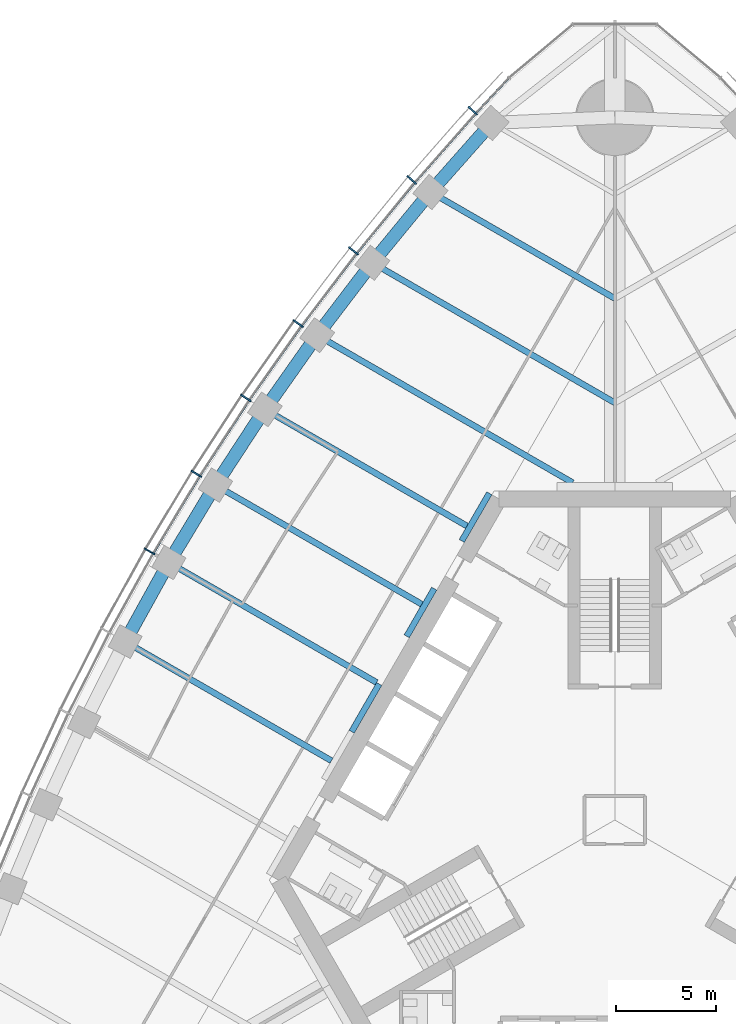
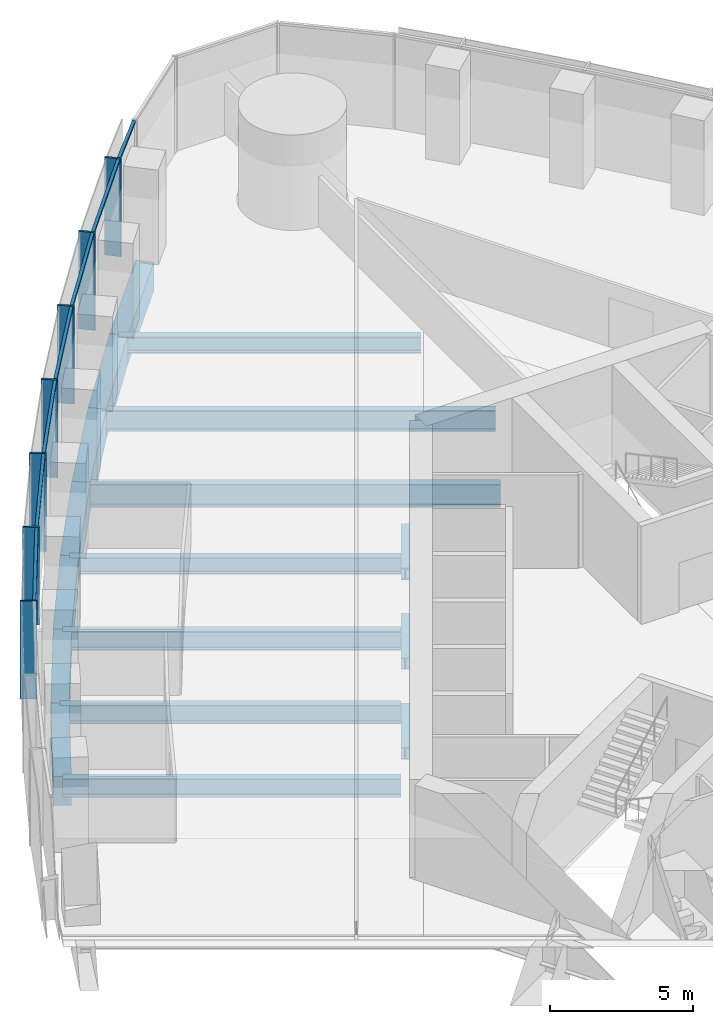
# One storey, part 4 of 21: 17 beams, 14 members, 1 element without a shape of its own.
"""IFC4 building model written with IfcOpenShell, lengths in metres."""

import ifcopenshell
import ifcopenshell.guid

model = None  # the IFC model being written
_history = None  # IfcOwnerHistory: only IFC2X3 demands one
_inside = {}  # id of a spatial element -> (the spatial element, [elements in it])
_under = {}  # id of a project, library or spatial element -> (it, [spatial elements below it])
_declared = {}  # id of a project -> (the project, [libraries it declares])
_typed = {}  # id of a type object -> (the type object, [elements of that type])
_made_of = {}  # id of a material, layer set ... -> (it, [elements and type objects made of it])


def new_model(schema):
    """Start an empty IFC model of exactly this schema.

    Asked for "IFC4X3", IfcOpenShell would pick the latest addendum, in which some entities
    have other attributes; the version numbers below select the first issue.
    IFC2X3 requires an IfcOwnerHistory on every rooted entity: one is made here for all.
    """
    global model, _history
    if schema == "IFC4X3":
        model = ifcopenshell.file(schema_version=(4, 3, 0, 0))
    else:
        model = ifcopenshell.file(schema=schema)
    _inside.clear()
    _under.clear()
    _declared.clear()
    _typed.clear()
    _made_of.clear()
    _history = None
    if model.schema == "IFC2X3":
        org = make("IfcOrganization", Name="unknown")
        user = make(
            "IfcPersonAndOrganization",
            ThePerson=make("IfcPerson", FamilyName="unknown"),
            TheOrganization=org,
        )
        app = make(
            "IfcApplication",
            ApplicationDeveloper=org,
            Version="unknown",
            ApplicationFullName="unknown",
            ApplicationIdentifier="unknown",
        )
        _history = make(
            "IfcOwnerHistory",
            OwningUser=user,
            OwningApplication=app,
            ChangeAction="ADDED",
            CreationDate=0,
        )
    return model


def make(cls, **values):
    """One entity of the class cls with the attributes given. An attribute that is None is left unset."""
    return model.create_entity(
        cls, **{name: value for name, value in values.items() if value is not None}
    )


def rooted(cls, **values):
    """An entity with a GlobalId (a new one), such as an element, a storey or a relation."""
    return make(cls, GlobalId=ifcopenshell.guid.new(), OwnerHistory=_history, **values)


def si_unit(unit_type, name, prefix=None):
    """IfcSIUnit, for example si_unit("LENGTHUNIT", "METRE", prefix="MILLI")."""
    return make("IfcSIUnit", UnitType=unit_type, Prefix=prefix, Name=name)


def assignment(units):
    """IfcUnitAssignment: the units of a project."""
    return None if units is None else make("IfcUnitAssignment", Units=units)


def point(xyz):
    """IfcCartesianPoint."""
    return None if xyz is None else make("IfcCartesianPoint", Coordinates=xyz)


def direction(xyz):
    """IfcDirection."""
    return None if xyz is None else make("IfcDirection", DirectionRatios=xyz)


def frame(location, z_axis=None, x_axis=None):
    """IfcAxis2Placement3D, a coordinate frame: its origin and axes. An axis left out is left unset."""
    return make(
        "IfcAxis2Placement3D",
        Location=point(location),
        Axis=direction(z_axis),
        RefDirection=direction(x_axis),
    )


def frame_2d(location, x_axis=None):
    """IfcAxis2Placement2D, a coordinate frame in the plane: its origin and x axis."""
    return make(
        "IfcAxis2Placement2D", Location=point(location), RefDirection=direction(x_axis)
    )


def origin():
    """The frame at (0, 0, 0) with its axes left unset."""
    return frame((0.0, 0.0, 0.0))


def origin_2d():
    """The frame at (0, 0) in the plane with its x axis left unset."""
    return frame_2d((0.0, 0.0))


def place(relative_to, where):
    """IfcLocalPlacement: puts the frame where relative to a parent placement (None: the world)."""
    return make(
        "IfcLocalPlacement", PlacementRelTo=relative_to, RelativePlacement=where
    )


def context(
    kind, dimensions, precision=None, world=None, true_north=None, identifier=None
):
    """IfcGeometricRepresentationContext, for example the 3D "Model" context."""
    return make(
        "IfcGeometricRepresentationContext",
        ContextIdentifier=identifier,
        ContextType=kind,
        CoordinateSpaceDimension=dimensions,
        Precision=precision,
        WorldCoordinateSystem=world,
        TrueNorth=true_north,
    )


def subcontext(parent, identifier, kind, view, scale=None):
    """IfcGeometricRepresentationSubContext, for example "Body" below "Model"."""
    return make(
        "IfcGeometricRepresentationSubContext",
        ContextIdentifier=identifier,
        ContextType=kind,
        ParentContext=parent,
        TargetScale=scale,
        TargetView=view,
    )


def project(units=None, contexts=None):
    """IfcProject with its units and contexts."""
    return rooted(
        "IfcProject",
        Name="project",
        RepresentationContexts=contexts,
        UnitsInContext=assignment(units),
    )


def spatial(cls, under=None, at=None, **own):
    """A site, building, storey or space (cls), placed at a placement, below another one or the project."""
    s = rooted(cls, ObjectPlacement=at, **own)
    if under is not None:
        _under.setdefault(under.id(), (under, []))[1].append(s)
    return s


def profile(cls, at=None, kind="AREA", **sizes):
    """A parametric profile (cls). Its sizes go by their IFC names, for example OverallWidth=200.0."""
    return make(cls, ProfileType=kind, Position=at, **sizes)


def rectangle(**sizes):
    """IfcRectangleProfileDef."""
    return profile("IfcRectangleProfileDef", **sizes)


def i_section(**sizes):
    """IfcIShapeProfileDef."""
    return profile("IfcIShapeProfileDef", **sizes)


def extrude(swept, where, along, depth):
    """IfcExtrudedAreaSolid: the profile swept, set in the frame where, extruded along a direction by depth."""
    return make(
        "IfcExtrudedAreaSolid",
        SweptArea=swept,
        Position=where,
        ExtrudedDirection=direction(along),
        Depth=depth,
    )


def shape(context_of_items, identifier, shape_type, items):
    """IfcShapeRepresentation: the items that make up one representation, for example the "Body"."""
    return make(
        "IfcShapeRepresentation",
        ContextOfItems=context_of_items,
        RepresentationIdentifier=identifier,
        RepresentationType=shape_type,
        Items=items,
    )


def material(Name=None, Category=None):
    """IfcMaterial."""
    return make("IfcMaterial", Name=Name, Category=Category)


def material_profile(
    of_material, cross_section, Name=None, Category=None, Priority=None
):
    """IfcMaterialProfile: a cross section and its material."""
    return make(
        "IfcMaterialProfile",
        Name=Name,
        Material=of_material,
        Profile=cross_section,
        Priority=Priority,
        Category=Category,
    )


def profile_set(profiles, Name=None, composite=None):
    """IfcMaterialProfileSet."""
    return make(
        "IfcMaterialProfileSet",
        Name=Name,
        MaterialProfiles=profiles,
        CompositeProfile=composite,
    )


def made_of(thing, what):
    """Note that an element or type object is made of a material, layer set ...; save() writes the relation."""
    if what is not None:
        _made_of.setdefault(what.id(), (what, []))[1].append(thing)
    return thing


def type_object(cls, material=None, **own):
    """A type object (cls), such as IfcWallType, which elements share."""
    return made_of(rooted(cls, **own), material)


def element(
    cls,
    number,
    at=None,
    inside=None,
    cuts=None,
    type_object=None,
    material=None,
    context=None,
    identifier="Body",
    shape_type=None,
    held_by="IfcProductDefinitionShape",
    body=None,
    shapes=None,
    **own,
):
    """One element of the class cls, such as IfcWall. Its Tag is "e" and its number.

    at: its placement. inside: the storey or other place that contains it. cuts: it is an
    opening in that element (IfcRelVoidsElement). A single representation is given by context,
    identifier, shape_type and body (its items); several are given by shapes. held_by: the class
    of the entity that holds the representations. save() writes the other relations.
    """
    e = rooted(cls, Tag="e%d" % number, ObjectPlacement=at, **own)
    if body is not None:
        shapes = [shape(context, identifier, shape_type, body)]
    if shapes is not None:
        e.Representation = make(held_by, Representations=shapes)
    if inside is not None:
        _inside.setdefault(inside.id(), (inside, []))[1].append(e)
    if cuts is not None:
        rooted(
            "IfcRelVoidsElement", RelatingBuildingElement=cuts, RelatedOpeningElement=e
        )
    if type_object is not None:
        _typed.setdefault(type_object.id(), (type_object, []))[1].append(e)
    return made_of(e, material)


def aggregate(whole, parts):
    """IfcRelAggregates: a whole, such as a stair, and the parts it consists of."""
    return rooted("IfcRelAggregates", RelatingObject=whole, RelatedObjects=parts)


def save(model, path):
    """Write the relations noted so far, then the file.

    IfcRelAggregates (storeys below a building ...), IfcRelContainedInSpatialStructure (elements
    in a storey), IfcRelDefinesByType, IfcRelAssociatesMaterial and IfcRelDeclares: one each for
    every whole, place, type object, material and project.
    """
    for whole, parts in _under.values():
        aggregate(whole, parts)
    for where, things in _inside.values():
        rooted(
            "IfcRelContainedInSpatialStructure",
            RelatedElements=things,
            RelatingStructure=where,
        )
    for kind, things in _typed.values():
        rooted("IfcRelDefinesByType", RelatedObjects=things, RelatingType=kind)
    for what, things in _made_of.values():
        rooted("IfcRelAssociatesMaterial", RelatedObjects=things, RelatingMaterial=what)
    for by, libraries in _declared.values():
        rooted("IfcRelDeclares", RelatingContext=by, RelatedDefinitions=libraries)
    model.write(path)


model = new_model("IFC4")

# Units and contexts
model_context = context("Model", 3, precision=1e-05, world=origin(), true_north=direction((0.0, 1.0)))
body_context = subcontext(model_context, "Body", "Model", "MODEL_VIEW")
ifc_project = project(units=[si_unit("LENGTHUNIT", "METRE"), si_unit("AREAUNIT", "SQUARE_METRE"), si_unit("VOLUMEUNIT", "CUBIC_METRE"), si_unit("PLANEANGLEUNIT", "RADIAN"), si_unit("MASSUNIT", "GRAM", prefix="KILO")], contexts=[model_context])

# Site, building, storey
site_placement = place(None, origin())
site = spatial("IfcSite", under=ifc_project, at=site_placement, CompositionType="ELEMENT")
building_placement = place(site_placement, origin())
building = spatial("IfcBuilding", under=site, at=building_placement, Name="Trefoil Bronze Tower", CompositionType="ELEMENT")
storey_placement = place(building_placement, frame((0.0, 0.0, 145.10009765625)))
storey = spatial("IfcBuildingStorey", under=building, at=storey_placement, Name="L33", CompositionType="ELEMENT", Elevation=145.10009765625)

# Curtain wall, members
ifc_material_1 = material(Name="Tinted solar-control glass", Category="glass")
curtain_wall_type = type_object("IfcCurtainWallType", Name="Bronze office curtain wall", PredefinedType="USERDEFINED", material=ifc_material_1)
curtain_wall_placement = place(storey_placement, origin())
curtain_wall = element("IfcCurtainWall", 1, at=curtain_wall_placement, inside=storey, type_object=curtain_wall_type, Name="CW-A L33 F3", ObjectType="CURTAIN WALL", PredefinedType="USERDEFINED")
ifc_material_2 = material(Name="Bronze-finish aluminium", Category="aluminium")
ifc_material_profile_1 = material_profile(ifc_material_2, rectangle(XDim=0.60009765625, YDim=0.080078125, at=origin_2d()), Name="CW-A mullion")
ifc_profile_set_1 = profile_set([ifc_material_profile_1], Name="Bronze-finish aluminium")
member_type_1 = type_object("IfcMemberType", Name="Bronze office curtain wall mullion", PredefinedType="MULLION", material=ifc_profile_set_1)
member_1_placement = place(storey_placement, frame((-7.070068359375, 35.332275390625, 0.0), z_axis=(0.0, 0.0, 1.0), x_axis=(0.740360700327, -0.672209813534, 0.0)))
member_1 = element("IfcMember", 2, at=member_1_placement, type_object=member_type_1, Name="CW-A L33 F3 mullion 2", PredefinedType="MULLION", context=body_context, shape_type="SweptSolid", body=[
    extrude(rectangle(XDim=0.60009765625, YDim=0.080078125, at=origin_2d()), origin(), (0.0, 0.0, 1.0), 4.179931640625),
])
member_2_placement = place(storey_placement, frame((-10.11474609375, 31.8828125, 0.0), z_axis=(0.0, 0.0, 1.0), x_axis=(0.761721651066, -0.647904411389, 0.0)))
member_2 = element("IfcMember", 3, at=member_2_placement, type_object=member_type_1, Name="CW-A L33 F3 mullion 3", PredefinedType="MULLION", context=body_context, shape_type="SweptSolid", body=[
    extrude(rectangle(XDim=0.60009765625, YDim=0.080078125, at=origin_2d()), origin(), (0.0, 0.0, 1.0), 4.179931640625),
])
member_3_placement = place(storey_placement, frame((-13.01220703125, 28.34716796875, 0.0), z_axis=(0.0, 0.0, 1.0), x_axis=(0.78487913905, -0.619648882098, 0.0)))
member_3 = element("IfcMember", 4, at=member_3_placement, type_object=member_type_1, Name="CW-A L33 F3 mullion 4", PredefinedType="MULLION", context=body_context, shape_type="SweptSolid", body=[
    extrude(rectangle(XDim=0.60009765625, YDim=0.080078125, at=origin_2d()), origin(), (0.0, 0.0, 1.0), 4.179931640625),
])
member_4_placement = place(storey_placement, frame((-15.764404296875, 24.7275390625, 0.0), z_axis=(0.0, 0.0, 1.0), x_axis=(0.806874522901, -0.590722865897, 0.0)))
member_4 = element("IfcMember", 5, at=member_4_placement, type_object=member_type_1, Name="CW-A L33 F3 mullion 5", PredefinedType="MULLION", context=body_context, shape_type="SweptSolid", body=[
    extrude(rectangle(XDim=0.60009765625, YDim=0.080078125, at=origin_2d()), origin(), (0.0, 0.0, 1.0), 4.179931640625),
])
member_5_placement = place(storey_placement, frame((-18.373046875, 21.025146484375, 0.0), z_axis=(0.0, 0.0, 1.0), x_axis=(0.827723925749, -0.561135547566, 0.0)))
member_5 = element("IfcMember", 6, at=member_5_placement, type_object=member_type_1, Name="CW-A L33 F3 mullion 6", PredefinedType="MULLION", context=body_context, shape_type="SweptSolid", body=[
    extrude(rectangle(XDim=0.60009765625, YDim=0.080078125, at=origin_2d()), origin(), (0.0, 0.0, 1.0), 4.179931640625),
])
member_6_placement = place(storey_placement, frame((-20.840087890625, 17.24072265625, 0.0), z_axis=(0.0, 0.0, 1.0), x_axis=(0.84743864936, -0.530893337283, 0.0)))
member_6 = element("IfcMember", 7, at=member_6_placement, type_object=member_type_1, Name="CW-A L33 F3 mullion 7", PredefinedType="MULLION", context=body_context, shape_type="SweptSolid", body=[
    extrude(rectangle(XDim=0.60009765625, YDim=0.080078125, at=origin_2d()), origin(), (0.0, 0.0, 1.0), 4.179931640625),
])
member_7_placement = place(storey_placement, frame((-23.166015625, 13.374755859375, 0.0), z_axis=(0.0, 0.0, 1.0), x_axis=(0.866025403784, -0.5, 0.0)))
member_7 = element("IfcMember", 8, at=member_7_placement, type_object=member_type_1, Name="CW-A L33 F3 mullion 8", PredefinedType="MULLION", context=body_context, shape_type="SweptSolid", body=[
    extrude(rectangle(XDim=0.60009765625, YDim=0.080078125, at=origin_2d()), origin(), (0.0, 0.0, 1.0), 4.179931640625),
])
ifc_material_3 = material(Name="Bronze-finish aluminium", Category="aluminium")
ifc_material_profile_2 = material_profile(ifc_material_3, rectangle(XDim=0.1201171875, YDim=0.10009765625, at=origin_2d()), Name="CW-A transom")
ifc_profile_set_2 = profile_set([ifc_material_profile_2], Name="Bronze-finish aluminium")
member_type_2 = type_object("IfcMemberType", Name="Bronze office curtain wall transom", PredefinedType="USERDEFINED", material=ifc_profile_set_2)
member_8_placement = place(storey_placement, frame((-5.296630859375, 36.9384765625, 4.1298828125), z_axis=(-0.682489214428, -0.730895664366, 0.0), x_axis=(0.730895664366, -0.682489214428, 0.0)))
member_8 = element("IfcMember", 9, at=member_8_placement, type_object=member_type_2, Name="CW-A L33 F3 transom 1", ObjectType="TRANSOM", PredefinedType="USERDEFINED", context=body_context, shape_type="SweptSolid", body=[
    extrude(rectangle(XDim=0.1201171875, YDim=0.10009765625, at=origin_2d()), origin(), (0.0, 0.0, 1.0), 2.340087890625),
])
member_9_placement = place(storey_placement, frame((-6.949462890625, 35.166748046875, 4.1298828125), z_axis=(-0.66173618877, -0.749736764786, 0.0), x_axis=(0.749736764786, -0.66173618877, 0.0)))
member_9 = element("IfcMember", 10, at=member_9_placement, type_object=member_type_2, Name="CW-A L33 F3 transom 2", ObjectType="TRANSOM", PredefinedType="USERDEFINED", context=body_context, shape_type="SweptSolid", body=[
    extrude(rectangle(XDim=0.1201171875, YDim=0.10009765625, at=origin_2d()), origin(), (0.0, 0.0, 1.0), 4.510986328125),
])
member_10_placement = place(storey_placement, frame((-9.98876953125, 31.720947265625, 4.1298828125), z_axis=(-0.633848872297, -0.773456919995, 0.0), x_axis=(0.773456919995, -0.633848872297, 0.0)))
member_10 = element("IfcMember", 11, at=member_10_placement, type_object=member_type_2, Name="CW-A L33 F3 transom 3", ObjectType="TRANSOM", PredefinedType="USERDEFINED", context=body_context, shape_type="SweptSolid", body=[
    extrude(rectangle(XDim=0.1201171875, YDim=0.10009765625, at=origin_2d()), origin(), (0.0, 0.0, 1.0), 4.480224609375),
])
member_11_placement = place(storey_placement, frame((-12.880615234375, 28.18994140625, 4.1298828125), z_axis=(-0.605229114572, -0.796051329296, 0.0), x_axis=(0.796051329296, -0.605229114572, 0.0)))
member_11 = element("IfcMember", 12, at=member_11_placement, type_object=member_type_2, Name="CW-A L33 F3 transom 4", ObjectType="TRANSOM", PredefinedType="USERDEFINED", context=body_context, shape_type="SweptSolid", body=[
    extrude(rectangle(XDim=0.1201171875, YDim=0.10009765625, at=origin_2d()), origin(), (0.0, 0.0, 1.0), 4.456298828125),
])
member_12_placement = place(storey_placement, frame((-15.626953125, 24.5751953125, 4.1298828125), z_axis=(-0.576017858824, -0.817437108478, 0.0), x_axis=(0.817437108478, -0.576017858824, 0.0)))
member_12 = element("IfcMember", 13, at=member_12_placement, type_object=member_type_2, Name="CW-A L33 F3 transom 5", ObjectType="TRANSOM", PredefinedType="USERDEFINED", context=body_context, shape_type="SweptSolid", body=[
    extrude(rectangle(XDim=0.1201171875, YDim=0.10009765625, at=origin_2d()), origin(), (0.0, 0.0, 1.0), 4.4384765625),
])
member_13_placement = place(storey_placement, frame((-18.23046875, 20.877685546875, 4.1298828125), z_axis=(-0.546079336226, -0.837733465099, 0.0), x_axis=(0.837733465099, -0.546079336226, 0.0)))
member_13 = element("IfcMember", 14, at=member_13_placement, type_object=member_type_2, Name="CW-A L33 F3 transom 6", ObjectType="TRANSOM", PredefinedType="USERDEFINED", context=body_context, shape_type="SweptSolid", body=[
    extrude(rectangle(XDim=0.1201171875, YDim=0.10009765625, at=origin_2d()), origin(), (0.0, 0.0, 1.0), 4.426513671875),
])
member_14_placement = place(storey_placement, frame((-20.692138671875, 17.0986328125, 4.1298828125), z_axis=(-0.515526794174, -0.856873458854, 0.0), x_axis=(0.856873458854, -0.515526794174, 0.0)))
member_14 = element("IfcMember", 15, at=member_14_placement, type_object=member_type_2, Name="CW-A L33 F3 transom 7", ObjectType="TRANSOM", PredefinedType="USERDEFINED", context=body_context, shape_type="SweptSolid", body=[
    extrude(rectangle(XDim=0.1201171875, YDim=0.10009765625, at=origin_2d()), origin(), (0.0, 0.0, 1.0), 4.4208984375),
])
aggregate(curtain_wall, [member_1, member_2, member_3, member_4, member_5, member_6, member_7, member_8, member_9, member_10, member_11, member_12, member_13, member_14])

# Beams
ifc_material_4 = material(Name="Steel C355", Category="steel")
ifc_material_profile_3 = material_profile(ifc_material_4, i_section(OverallWidth=0.300048828125, OverallDepth=0.5, WebThickness=0.014404296875, FlangeThickness=0.028076171875, FilletRadius=0.027099609375, at=origin_2d()), Name="HEB 500")
ifc_profile_set_3 = profile_set([ifc_material_profile_3], Name="Steel C355")
beam_type_1 = type_object("IfcBeamType", Name="Core seat beam HEB 500", PredefinedType="BEAM", material=ifc_profile_set_3)
for number, where, z_axis, x_axis, name in (
    (16, (-6.249755859375, 16.27490234375, -0.4501953125), (-0.500035825175, -0.866004719122, 0.0), (0.866004719122, -0.500035825175, 0.0), "Core seat beam F3/-2 L33"),
    (17, (-8.9921875, 11.52490234375, -0.4501953125), (-0.500035825175, -0.866004719122, 0.0), (0.866004719122, -0.500035825175, 0.0), "Core seat beam F3/-1 L33"),
    (18, (-11.734619140625, 6.77490234375, -0.4501953125), (-0.500035825175, -0.866004719122, 0.0), (0.866004719122, -0.500035825175, 0.0), "Core seat beam F3/+0 L33"),
):
    element("IfcBeam", number, at=place(storey_placement, frame(where, z_axis=z_axis, x_axis=x_axis)), inside=storey, type_object=beam_type_1, Name=name, PredefinedType="BEAM", context=body_context, shape_type="SweptSolid", body=[
        extrude(i_section(OverallWidth=0.300048828125, OverallDepth=0.5, WebThickness=0.014404296875, FlangeThickness=0.028076171875, FilletRadius=0.027099609375, at=origin_2d()), origin(), (0.0, 0.0, 1.0), 2.742431640625),
    ])
ifc_material_5 = material(Name="Steel C355", Category="steel")
ifc_material_profile_4 = material_profile(ifc_material_5, i_section(OverallWidth=0.300048828125, OverallDepth=1.0, WebThickness=0.01904296875, FlangeThickness=0.035888671875, FilletRadius=0.030029296875, at=origin_2d()), Name="HEB 1000")
ifc_profile_set_4 = profile_set([ifc_material_profile_4], Name="Steel C355")
beam_type_2 = type_object("IfcBeamType", Name="Floor beam HEB 1000", PredefinedType="BEAM", material=ifc_profile_set_4)
beam_1_placement = place(storey_placement, frame((-14.825439453125, 24.14794921875, -0.7001953125), z_axis=(0.866027342682, -0.499996641717, 0.0), x_axis=(0.499996641717, 0.866027342682, 0.0)))
element("IfcBeam", 19, at=beam_1_placement, inside=storey, type_object=beam_type_2, Name="Floor beam F3/-3 L33", PredefinedType="BEAM", context=body_context, shape_type="SweptSolid", body=[
    extrude(i_section(OverallWidth=0.300048828125, OverallDepth=1.0, WebThickness=0.01904296875, FlangeThickness=0.035888671875, FilletRadius=0.030029296875, at=origin_2d()), origin(), (0.0, 0.0, 1.0), 14.69580078125),
])
ifc_material_6 = material(Name="Steel C355", Category="steel")
ifc_material_profile_5 = material_profile(ifc_material_6, i_section(OverallWidth=0.300048828125, OverallDepth=0.699951171875, WebThickness=0.01708984375, FlangeThickness=0.031982421875, FilletRadius=0.027099609375, at=origin_2d()), Name="HEB 700")
ifc_profile_set_5 = profile_set([ifc_material_profile_5], Name="Steel C355")
beam_type_3 = type_object("IfcBeamType", Name="Floor beam HEB 700", PredefinedType="BEAM", material=ifc_profile_set_5)
beam_2_placement = place(storey_placement, frame((-9.181884765625, 31.281982421875, -0.550048828125), z_axis=(0.866021079084, -0.500007490527, 0.0), x_axis=(0.500007490527, 0.866021079084, 0.0)))
element("IfcBeam", 20, at=beam_2_placement, inside=storey, type_object=beam_type_3, Name="Floor beam F3/-5 L33", PredefinedType="BEAM", context=body_context, shape_type="SweptSolid", body=[
    extrude(i_section(OverallWidth=0.300048828125, OverallDepth=0.699951171875, WebThickness=0.01708984375, FlangeThickness=0.031982421875, FilletRadius=0.027099609375, at=origin_2d()), origin(), (0.0, 0.0, 1.0), 10.602294921875),
])
beam_3_placement = place(storey_placement, frame((-17.43017578125, 20.45556640625, -0.550048828125), z_axis=(0.866030626868, -0.499990953245, 0.0), x_axis=(0.499990953245, 0.866030626868, 0.0)))
element("IfcBeam", 21, at=beam_3_placement, inside=storey, type_object=beam_type_3, Name="Floor beam F3/-2 L33", PredefinedType="BEAM", context=body_context, shape_type="SweptSolid", body=[
    extrude(i_section(OverallWidth=0.300048828125, OverallDepth=0.699951171875, WebThickness=0.01708984375, FlangeThickness=0.031982421875, FilletRadius=0.027099609375, at=origin_2d()), origin(), (0.0, 0.0, 1.0), 11.622802734375),
])
ifc_material_7 = material(Name="Steel C355", Category="steel")
ifc_material_profile_6 = material_profile(ifc_material_7, i_section(OverallWidth=0.300048828125, OverallDepth=0.800048828125, WebThickness=0.017578125, FlangeThickness=0.032958984375, FilletRadius=0.030029296875, at=origin_2d()), Name="HEB 800")
ifc_profile_set_6 = profile_set([ifc_material_profile_6], Name="Steel C355")
beam_type_4 = type_object("IfcBeamType", Name="Floor beam HEB 800", PredefinedType="BEAM", material=ifc_profile_set_6)
beam_4_placement = place(storey_placement, frame((-19.892578125, 16.68115234375, -0.60009765625), z_axis=(0.866024236736, -0.500002021381, 0.0), x_axis=(0.500002021381, 0.866024236736, 0.0)))
element("IfcBeam", 22, at=beam_4_placement, inside=storey, type_object=beam_type_4, Name="Floor beam F3/-1 L33", PredefinedType="BEAM", context=body_context, shape_type="SweptSolid", body=[
    extrude(i_section(OverallWidth=0.300048828125, OverallDepth=0.800048828125, WebThickness=0.017578125, FlangeThickness=0.032958984375, FilletRadius=0.030029296875, at=origin_2d()), origin(), (0.0, 0.0, 1.0), 11.8681640625),
])
beam_5_placement = place(storey_placement, frame((-22.21337890625, 12.824951171875, -0.60009765625), z_axis=(0.866028062731, -0.499995394541, 0.0), x_axis=(0.499995394541, 0.866028062731, 0.0)))
element("IfcBeam", 23, at=beam_5_placement, inside=storey, type_object=beam_type_4, Name="Floor beam F3/+0 L33", PredefinedType="BEAM", context=body_context, shape_type="SweptSolid", body=[
    extrude(i_section(OverallWidth=0.300048828125, OverallDepth=0.800048828125, WebThickness=0.017578125, FlangeThickness=0.032958984375, FilletRadius=0.030029296875, at=origin_2d()), origin(), (0.0, 0.0, 1.0), 11.94970703125),
])
beam_6_placement = place(storey_placement, frame((-24.392578125, 8.886962890625, -0.60009765625), z_axis=(0.866024236736, -0.500002021381, 0.0), x_axis=(0.500002021381, 0.866024236736, 0.0)))
element("IfcBeam", 24, at=beam_6_placement, inside=storey, type_object=beam_type_4, Name="Floor beam F3/+1 L33", PredefinedType="BEAM", context=body_context, shape_type="SweptSolid", body=[
    extrude(i_section(OverallWidth=0.300048828125, OverallDepth=0.800048828125, WebThickness=0.017578125, FlangeThickness=0.032958984375, FilletRadius=0.030029296875, at=origin_2d()), origin(), (0.0, 0.0, 1.0), 11.8681640625),
])
ifc_material_8 = material(Name="Steel C355", Category="steel")
ifc_material_profile_7 = material_profile(ifc_material_8, i_section(OverallWidth=0.300048828125, OverallDepth=0.89990234375, WebThickness=0.0185546875, FlangeThickness=0.034912109375, FilletRadius=0.030029296875, at=origin_2d()), Name="HEB 900")
ifc_profile_set_7 = profile_set([ifc_material_profile_7], Name="Steel C355")
beam_type_5 = type_object("IfcBeamType", Name="Floor beam HEB 900", PredefinedType="BEAM", material=ifc_profile_set_7)
beam_7_placement = place(storey_placement, frame((-12.07666015625, 27.757080078125, -0.650146484375), z_axis=(0.866026983775, -0.499997263366, 0.0), x_axis=(0.499997263366, 0.866026983775, 0.0)))
element("IfcBeam", 25, at=beam_7_placement, inside=storey, type_object=beam_type_5, Name="Floor beam F3/-4 L33", PredefinedType="BEAM", context=body_context, shape_type="SweptSolid", body=[
    extrude(i_section(OverallWidth=0.300048828125, OverallDepth=0.89990234375, WebThickness=0.0185546875, FlangeThickness=0.034912109375, FilletRadius=0.030029296875, at=origin_2d()), origin(), (0.0, 0.0, 1.0), 13.94482421875),
])
ifc_material_9 = material(Name="Concrete B80", Category="concrete")
ifc_material_profile_8 = material_profile(ifc_material_9, rectangle(XDim=0.64990234375, YDim=1.25, at=origin_2d()), Name="RC 650x1250")
ifc_profile_set_8 = profile_set([ifc_material_profile_8], Name="Concrete B80")
beam_type_6 = type_object("IfcBeamType", Name="Spandrel beam RC 650x1250", PredefinedType="SPANDREL", material=ifc_profile_set_8)
beam_8_placement = place(storey_placement, frame((-6.13916015625, 34.72119140625, -0.8251953125), z_axis=(-0.662616326239, -0.748959013699, 0.0), x_axis=(0.748959013699, -0.662616326239, 0.0)))
element("IfcBeam", 26, at=beam_8_placement, inside=storey, type_object=beam_type_6, Name="Spandrel F3.2 L33", PredefinedType="SPANDREL", context=body_context, shape_type="SweptSolid", body=[
    extrude(rectangle(XDim=0.64990234375, YDim=1.25, at=origin_2d()), origin(), (0.0, 0.0, 1.0), 4.592041015625),
])
beam_9_placement = place(storey_placement, frame((-9.181884765625, 31.281982421875, -0.8251953125), z_axis=(-0.634650386838, -0.772799383079, 0.0), x_axis=(0.772799383079, -0.634650386838, 0.0)))
element("IfcBeam", 27, at=beam_9_placement, inside=storey, type_object=beam_type_6, Name="Spandrel F3.3 L33", PredefinedType="SPANDREL", context=body_context, shape_type="SweptSolid", body=[
    extrude(rectangle(XDim=0.64990234375, YDim=1.25, at=origin_2d()), origin(), (0.0, 0.0, 1.0), 4.561279296875),
])
beam_10_placement = place(storey_placement, frame((-12.07666015625, 27.757080078125, -0.8251953125), z_axis=(-0.605898901788, -0.795541652468, 0.0), x_axis=(0.795541652468, -0.605898901788, 0.0)))
element("IfcBeam", 28, at=beam_10_placement, inside=storey, type_object=beam_type_6, Name="Spandrel F3.4 L33", PredefinedType="SPANDREL", context=body_context, shape_type="SweptSolid", body=[
    extrude(rectangle(XDim=0.64990234375, YDim=1.25, at=origin_2d()), origin(), (0.0, 0.0, 1.0), 4.53662109375),
])
beam_11_placement = place(storey_placement, frame((-14.825439453125, 24.14794921875, -0.8251953125), z_axis=(-0.576439228712, -0.81714002203, 0.0), x_axis=(0.81714002203, -0.576439228712, 0.0)))
element("IfcBeam", 29, at=beam_11_placement, inside=storey, type_object=beam_type_6, Name="Spandrel F3.5 L33", PredefinedType="SPANDREL", context=body_context, shape_type="SweptSolid", body=[
    extrude(rectangle(XDim=0.64990234375, YDim=1.25, at=origin_2d()), origin(), (0.0, 0.0, 1.0), 4.5185546875),
])
beam_12_placement = place(storey_placement, frame((-17.43017578125, 20.45556640625, -0.8251953125), z_axis=(-0.546396670296, -0.83752652417, 0.0), x_axis=(0.83752652417, -0.546396670296, 0.0)))
element("IfcBeam", 30, at=beam_12_placement, inside=storey, type_object=beam_type_6, Name="Spandrel F3.6 L33", PredefinedType="SPANDREL", context=body_context, shape_type="SweptSolid", body=[
    extrude(rectangle(XDim=0.64990234375, YDim=1.25, at=origin_2d()), origin(), (0.0, 0.0, 1.0), 4.506591796875),
])
for number, where, z_axis, x_axis, name in (
    (31, (-19.892578125, 16.68115234375, -0.8251953125), (-0.515651979972, -0.856798129988, 0.0), (0.856798129988, -0.515651979972, 0.0), "Spandrel F3.7 L33"),
    (32, (-22.21337890625, 12.824951171875, -0.8251953125), (-0.484186866546, -0.874964615436, 0.0), (0.874964615436, -0.484186866546, 0.0), "Spandrel F3.8 L33"),
):
    element("IfcBeam", number, at=place(storey_placement, frame(where, z_axis=z_axis, x_axis=x_axis)), inside=storey, type_object=beam_type_6, Name=name, PredefinedType="SPANDREL", context=body_context, shape_type="SweptSolid", body=[
        extrude(rectangle(XDim=0.64990234375, YDim=1.25, at=origin_2d()), origin(), (0.0, 0.0, 1.0), 4.500732421875),
    ])

save(model, "model.ifc")
